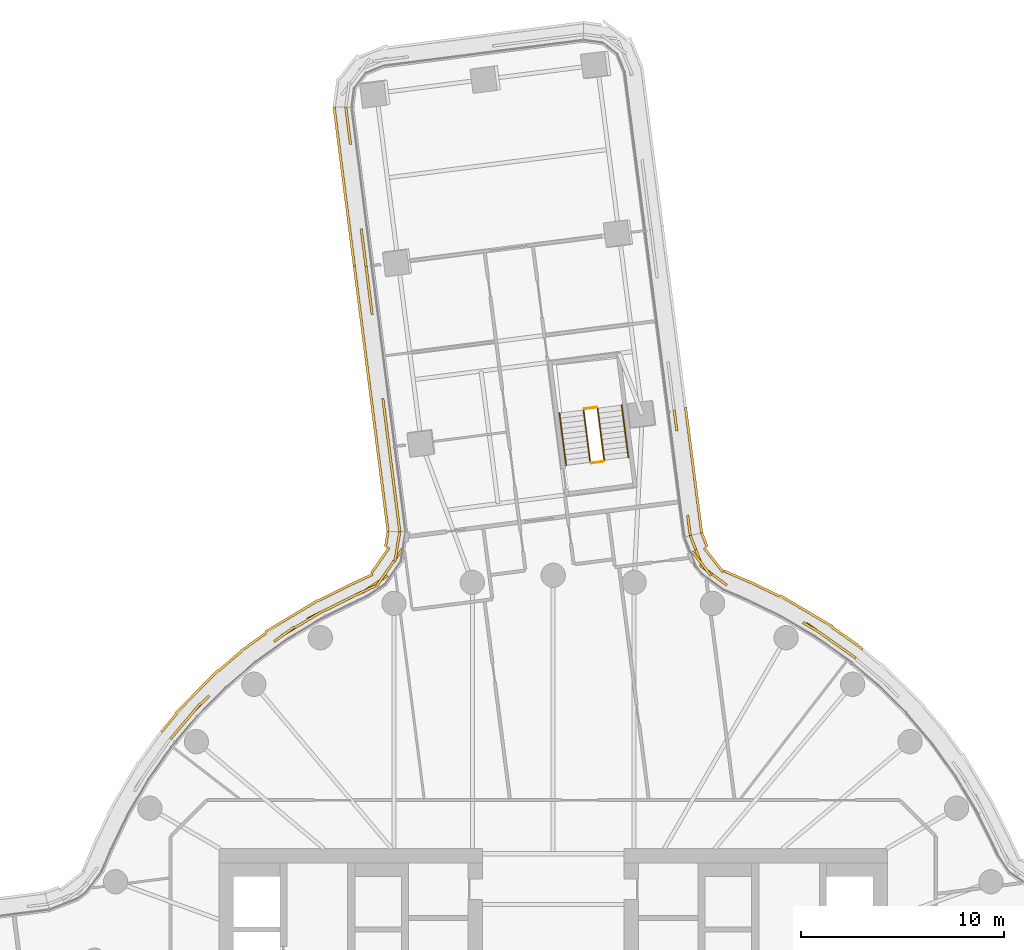
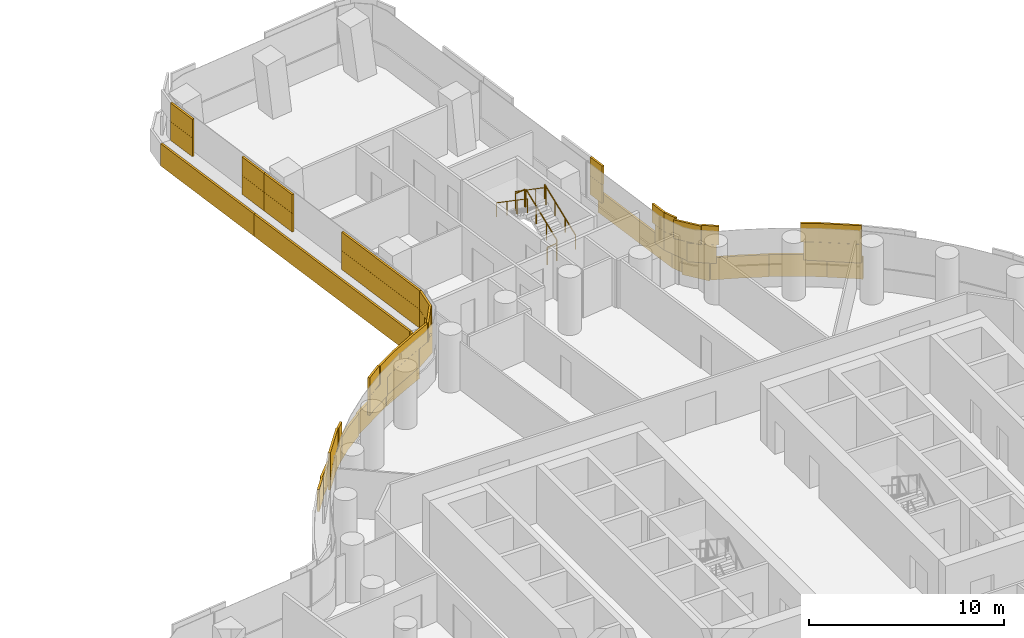
# One storey, part 30 of 31: 6 railings, 5 coverings.
"""IFC4 building model written with IfcOpenShell, lengths in metres."""

from ifc_helpers import new_model, si_unit, direction, frame, origin, origin_2d, place, context, subcontext, project, spatial, rectangle, circle, extrude, material, layer, layer_set, type_object, element, save


model = new_model("IFC4")

# Units and contexts
model_context = context("Model", 3, precision=1e-05, world=origin(), true_north=direction((0.0, 1.0)))
body_context = subcontext(model_context, "Body", "Model", "MODEL_VIEW")
ifc_project = project(units=[si_unit("LENGTHUNIT", "METRE"), si_unit("AREAUNIT", "SQUARE_METRE"), si_unit("VOLUMEUNIT", "CUBIC_METRE"), si_unit("PLANEANGLEUNIT", "RADIAN"), si_unit("MASSUNIT", "GRAM", prefix="KILO")], contexts=[model_context])

# Site, building, storey
site_placement = place(None, origin())
site = spatial("IfcSite", under=ifc_project, at=site_placement, CompositionType="ELEMENT")
building_placement = place(site_placement, origin())
building = spatial("IfcBuilding", under=site, at=building_placement, Name="Tamarind Cross Interchange Tower", CompositionType="ELEMENT")
storey_placement = place(building_placement, frame((0.0, 0.0, 60.25)))
storey = spatial("IfcBuildingStorey", under=building, at=storey_placement, Name="L13", CompositionType="ELEMENT", Elevation=60.25)

# Railings
ifc_material_1 = material(Name="Stair guard")
railing_type_1 = type_object("IfcRailingType", Name="Stair guard", PredefinedType="GUARDRAIL", material=ifc_material_1)
railing_1_placement = place(storey_placement, frame((2.520751953125, 28.67529296875, 0.17041015625)))
element("IfcRailing", 1, at=railing_1_placement, inside=storey, type_object=railing_type_1, Name="L13 ST4 stair guard 1", PredefinedType="GUARDRAIL", context=body_context, shape_type="SweptSolid", body=[
    extrude(circle(Radius=0.02392578125, at=origin_2d()), frame((0.0, 0.0, 1.076171875), z_axis=(-0.106483526738, 0.829487826646, 0.548280223955), x_axis=(-0.991860696927, -0.127327757742, 0.0)), (0.0, 0.0, 1.0), 3.10888671875),
    extrude(circle(Radius=0.02099609375, at=origin_2d()), origin(), (0.0, 0.0, 1.0), 1.052001953125),
    extrude(circle(Radius=0.02099609375, at=origin_2d()), frame((-0.1103515625, 0.859619140625, 0.568115234375)), (0.0, 0.0, 1.0), 1.052001953125),
    extrude(circle(Radius=0.02099609375, at=origin_2d()), frame((-0.220703125, 1.71923828125, 1.136474609375)), (0.0, 0.0, 1.0), 1.052001953125),
    extrude(circle(Radius=0.02099609375, at=origin_2d()), frame((-0.3310546875, 2.578857421875, 1.70458984375)), (0.0, 0.0, 1.0), 1.052001953125),
])
railing_2_placement = place(storey_placement, frame((2.1337890625, 31.29736328125, 1.875)))
element("IfcRailing", 2, at=railing_2_placement, inside=storey, type_object=railing_type_1, Name="L13 ST4 stair guard 2", PredefinedType="GUARDRAIL", context=body_context, shape_type="SweptSolid", body=[
    extrude(circle(Radius=0.02392578125, at=origin_2d()), frame((0.0, 0.0, 1.076171875), z_axis=(-0.991852680549, -0.127390188351, 0.0), x_axis=(0.127390188351, -0.991852680549, 0.0)), (0.0, 0.0, 1.0), 0.599853515625),
    extrude(circle(Radius=0.02099609375, at=origin_2d()), origin(), (0.0, 0.0, 1.0), 1.052001953125),
    extrude(circle(Radius=0.02099609375, at=origin_2d()), frame((-0.594970703125, -0.076416015625, 0.0)), (0.0, 0.0, 1.0), 1.052001953125),
])
railing_3_placement = place(storey_placement, frame((1.495361328125, 31.1650390625, 2.04541015625)))
element("IfcRailing", 3, at=railing_3_placement, inside=storey, type_object=railing_type_1, Name="L13 ST4 stair guard 3", PredefinedType="GUARDRAIL", context=body_context, shape_type="SweptSolid", body=[
    extrude(circle(Radius=0.02392578125, at=origin_2d()), frame((0.0, 0.0, 1.076171875), z_axis=(0.106483526738, -0.829487826646, 0.548280223955), x_axis=(0.991860696927, 0.127327757742, 0.0)), (0.0, 0.0, 1.0), 3.10888671875),
    extrude(circle(Radius=0.02099609375, at=origin_2d()), origin(), (0.0, 0.0, 1.0), 1.052001953125),
    extrude(circle(Radius=0.02099609375, at=origin_2d()), frame((0.1103515625, -0.859619140625, 0.568115234375)), (0.0, 0.0, 1.0), 1.052001953125),
    extrude(circle(Radius=0.02099609375, at=origin_2d()), frame((0.220703125, -1.71923828125, 1.136474609375)), (0.0, 0.0, 1.0), 1.052001953125),
    extrude(circle(Radius=0.02099609375, at=origin_2d()), frame((0.3310546875, -2.578857421875, 1.70458984375)), (0.0, 0.0, 1.0), 1.052001953125),
])
railing_4_placement = place(storey_placement, frame((2.4775390625, 28.619140625, 0.0)))
element("IfcRailing", 4, at=railing_4_placement, inside=storey, type_object=railing_type_1, Name="L13 ST4 stair guard 4", PredefinedType="GUARDRAIL", context=body_context, shape_type="SweptSolid", body=[
    extrude(circle(Radius=0.02392578125, at=origin_2d()), frame((0.0, 0.0, 1.076171875), z_axis=(-0.991910587216, -0.126938516494, 0.0), x_axis=(0.126938516494, -0.991910587216, 0.0)), (0.0, 0.0, 1.0), 0.60009765625),
    extrude(circle(Radius=0.02099609375, at=origin_2d()), origin(), (0.0, 0.0, 1.0), 1.052001953125),
    extrude(circle(Radius=0.02099609375, at=origin_2d()), frame((-0.59521484375, -0.076171875, 0.0)), (0.0, 0.0, 1.0), 1.052001953125),
])
ifc_material_2 = material(Name="Stair handrail")
railing_type_2 = type_object("IfcRailingType", Name="Stair handrail", PredefinedType="HANDRAIL", material=ifc_material_2)
railing_5_placement = place(storey_placement, frame((3.7109375, 28.827880859375, 0.17041015625)))
element("IfcRailing", 5, at=railing_5_placement, inside=storey, type_object=railing_type_2, Name="L13 ST4 stair handrail 1", PredefinedType="HANDRAIL", context=body_context, shape_type="SweptSolid", body=[
    extrude(circle(Radius=0.02392578125, at=origin_2d()), frame((0.0, 0.0, 0.8759765625), z_axis=(-0.106405888495, 0.829494760272, 0.548284806989), x_axis=(-0.991872551469, -0.127235378892, 0.0)), (0.0, 0.0, 1.0), 3.10888671875),
    extrude(circle(Radius=0.02099609375, at=origin_2d()), origin(), (0.0, 0.0, 1.0), 0.851806640625),
    extrude(circle(Radius=0.02099609375, at=origin_2d()), frame((-0.1103515625, 0.859619140625, 0.568115234375)), (0.0, 0.0, 1.0), 0.851806640625),
    extrude(circle(Radius=0.02099609375, at=origin_2d()), frame((-0.220458984375, 1.71923828125, 1.136474609375)), (0.0, 0.0, 1.0), 0.851806640625),
    extrude(circle(Radius=0.02099609375, at=origin_2d()), frame((-0.330810546875, 2.578857421875, 1.70458984375)), (0.0, 0.0, 1.0), 0.851806640625),
])
railing_6_placement = place(storey_placement, frame((0.30517578125, 31.01220703125, 2.04541015625)))
element("IfcRailing", 6, at=railing_6_placement, inside=storey, type_object=railing_type_2, Name="L13 ST4 stair handrail 2", PredefinedType="HANDRAIL", context=body_context, shape_type="SweptSolid", body=[
    extrude(circle(Radius=0.02392578125, at=origin_2d()), frame((0.0, 0.0, 0.8759765625), z_axis=(0.106483526738, -0.829487826646, 0.548280223955), x_axis=(0.991860696927, 0.127327757742, 0.0)), (0.0, 0.0, 1.0), 3.10888671875),
    extrude(circle(Radius=0.02099609375, at=origin_2d()), origin(), (0.0, 0.0, 1.0), 0.851806640625),
    extrude(circle(Radius=0.02099609375, at=origin_2d()), frame((0.1103515625, -0.859619140625, 0.568115234375)), (0.0, 0.0, 1.0), 0.851806640625),
    extrude(circle(Radius=0.02099609375, at=origin_2d()), frame((0.220703125, -1.71923828125, 1.136474609375)), (0.0, 0.0, 1.0), 0.851806640625),
    extrude(circle(Radius=0.02099609375, at=origin_2d()), frame((0.3310546875, -2.578857421875, 1.70458984375)), (0.0, 0.0, 1.0), 0.851806640625),
])

# Coverings
ifc_material_3 = material(Name="Terracotta", Category="masonry")
ifc_layer = layer(ifc_material_3, 0.1201171875)
ifc_layer_set = layer_set([ifc_layer], Name="Terracotta")
covering_type = type_object("IfcCoveringType", Name="Terracotta baguette screen unit", PredefinedType="MOLDING", material=ifc_layer_set)
covering_1_placement = place(storey_placement, origin())
element("IfcCovering", 7, at=covering_1_placement, inside=storey, type_object=covering_type, Name="SCR-L13-10-01", PredefinedType="MOLDING", context=body_context, shape_type="SweptSolid", body=[
    extrude(rectangle(XDim=1.493896484375, YDim=0.1201171875, at=origin_2d()), frame((14.331787109375, 19.33984375, 1.404052734375), z_axis=(0.0, 0.0, 1.0), x_axis=(-0.816341886298, 0.577568978284, 0.0)), (0.0, 0.0, 1.0), 1.1669921875),
    extrude(rectangle(XDim=1.52001953125, YDim=0.1201171875, at=origin_2d()), frame((13.11376953125, 20.201416015625, 1.404052734375), z_axis=(0.0, 0.0, 1.0), x_axis=(-0.816341886298, 0.577568978284, 0.0)), (0.0, 0.0, 1.0), 1.1669921875),
    extrude(rectangle(XDim=1.52001953125, YDim=0.1201171875, at=origin_2d()), frame((7.8515625, 23.047607421875, 1.404052734375), z_axis=(0.0, 0.0, 1.0), x_axis=(-0.802208904027, 0.597043444231, 0.0)), (0.0, 0.0, 1.0), 1.1669921875),
    extrude(rectangle(XDim=1.505615234375, YDim=0.1201171875, at=origin_2d()), frame((7.039306640625, 24.2626953125, 1.404052734375), z_axis=(0.0, 0.0, 1.0), x_axis=(-0.362472967491, 0.931994285303, 0.0)), (0.0, 0.0, 1.0), 1.1669921875),
    extrude(rectangle(XDim=0.743896484375, YDim=0.1201171875, at=origin_2d()), frame((14.637939453125, 19.123291015625, 2.5791015625), z_axis=(0.0, 0.0, 1.0), x_axis=(-0.816341886298, 0.577568978284, 0.0)), (0.0, 0.0, 1.0), 1.1669921875),
    extrude(rectangle(XDim=1.52001953125, YDim=0.1201171875, at=origin_2d()), frame((13.72607421875, 19.768310546875, 2.5791015625), z_axis=(0.0, 0.0, 1.0), x_axis=(-0.816341886298, 0.577568978284, 0.0)), (0.0, 0.0, 1.0), 1.1669921875),
    extrude(rectangle(XDim=0.915771484375, YDim=0.1201171875, at=origin_2d()), frame((12.72509765625, 20.433837890625, 2.5791015625), z_axis=(0.0, 0.0, 1.0), x_axis=(-0.861248933065, 0.508183308752, 0.0)), (0.0, 0.0, 1.0), 1.1669921875),
    extrude(rectangle(XDim=0.904296875, YDim=0.1201171875, at=origin_2d()), frame((8.210205078125, 22.78076171875, 2.5791015625), z_axis=(0.0, 0.0, 1.0), x_axis=(-0.802208904027, 0.597043444231, 0.0)), (0.0, 0.0, 1.0), 1.1669921875),
    extrude(rectangle(XDim=1.52001953125, YDim=0.1201171875, at=origin_2d()), frame((7.32861328125, 23.576171875, 2.5791015625), z_axis=(0.0, 0.0, 1.0), x_axis=(-0.615646418877, 0.788022516762, 0.0)), (0.0, 0.0, 1.0), 1.1669921875),
    extrude(rectangle(XDim=0.755615234375, YDim=0.1201171875, at=origin_2d()), frame((6.9033203125, 24.6123046875, 2.5791015625), z_axis=(0.0, 0.0, 1.0), x_axis=(-0.362472967491, 0.931994285303, 0.0)), (0.0, 0.0, 1.0), 1.1669921875),
    extrude(rectangle(XDim=0.375244140625, YDim=0.1201171875, at=origin_2d()), frame((15.1357421875, 19.46435546875, 0.00390625), z_axis=(0.0, 0.0, 1.0), x_axis=(-0.765858396687, 0.643009266048, 0.0)), (0.0, 0.0, 1.0), 1.39208984375),
    extrude(rectangle(XDim=1.52001953125, YDim=0.1201171875, at=origin_2d()), frame((14.38330078125, 20.00634765625, 0.00390625), z_axis=(0.0, 0.0, 1.0), x_axis=(-0.816341886298, 0.577568978284, 0.0)), (0.0, 0.0, 1.0), 1.39208984375),
    extrude(rectangle(XDim=1.52001953125, YDim=0.1201171875, at=origin_2d()), frame((13.1455078125, 20.852294921875, 0.00390625), z_axis=(0.0, 0.0, 1.0), x_axis=(-0.861248933065, 0.508183308752, 0.0)), (0.0, 0.0, 1.0), 1.39208984375),
    extrude(rectangle(XDim=1.52001953125, YDim=0.1201171875, at=origin_2d()), frame((11.853759765625, 21.61474609375, 0.00390625), z_axis=(0.0, 0.0, 1.0), x_axis=(-0.861248933065, 0.508183308752, 0.0)), (0.0, 0.0, 1.0), 1.39208984375),
    extrude(rectangle(XDim=1.52001953125, YDim=0.1201171875, at=origin_2d()), frame((10.5126953125, 22.285400390625, 0.00390625), z_axis=(0.0, 0.0, 1.0), x_axis=(-0.900272776334, 0.435326231914, 0.0)), (0.0, 0.0, 1.0), 1.39208984375),
    extrude(rectangle(XDim=1.52001953125, YDim=0.1201171875, at=origin_2d()), frame((9.14794921875, 22.90673828125, 0.00390625), z_axis=(0.0, 0.0, 1.0), x_axis=(-0.920061117833, 0.391774858116, 0.0)), (0.0, 0.0, 1.0), 1.39208984375),
    extrude(rectangle(XDim=1.52001953125, YDim=0.1201171875, at=origin_2d()), frame((7.922607421875, 23.748291015625, 0.00390625), z_axis=(0.0, 0.0, 1.0), x_axis=(-0.615646418877, 0.788022516762, 0.0)), (0.0, 0.0, 1.0), 1.39208984375),
    extrude(rectangle(XDim=0.746337890625, YDim=0.1201171875, at=origin_2d()), frame((7.4638671875, 24.75439453125, 0.00390625), z_axis=(0.0, 0.0, 1.0), x_axis=(-0.362472967491, 0.931994285303, 0.0)), (0.0, 0.0, 1.0), 1.39208984375),
])
covering_2_placement = place(storey_placement, origin())
element("IfcCovering", 8, at=covering_2_placement, inside=storey, type_object=covering_type, Name="SCR-L13-11-00", PredefinedType="MOLDING", context=body_context, shape_type="SweptSolid", body=[
    extrude(rectangle(XDim=0.760009765625, YDim=0.1201171875, at=origin_2d()), frame((6.720458984375, 25.33154296875, 1.404052734375), z_axis=(0.0, 0.0, 1.0), x_axis=(-0.127300045824, 0.991864253985, 0.0)), (0.0, 0.0, 1.0), 1.1669921875),
    extrude(rectangle(XDim=0.997314453125, YDim=0.1201171875, at=origin_2d()), frame((6.037109375, 30.656494140625, 1.404052734375), z_axis=(0.0, 0.0, 1.0), x_axis=(-0.127300045824, 0.991864253985, 0.0)), (0.0, 0.0, 1.0), 1.1669921875),
    extrude(rectangle(XDim=1.0185546875, YDim=0.1201171875, at=origin_2d()), frame((6.703369140625, 25.46484375, 2.5791015625), z_axis=(0.0, 0.0, 1.0), x_axis=(-0.127300045824, 0.991864253985, 0.0)), (0.0, 0.0, 1.0), 1.1669921875),
    extrude(rectangle(XDim=0.79150390625, YDim=0.1201171875, at=origin_2d()), frame((6.05419921875, 30.5234375, 2.5791015625), z_axis=(0.0, 0.0, 1.0), x_axis=(-0.127300045824, 0.991864253985, 0.0)), (0.0, 0.0, 1.0), 1.1669921875),
    extrude(rectangle(XDim=0.247314453125, YDim=0.1201171875, at=origin_2d()), frame((5.989501953125, 31.028564453125, 2.5791015625), z_axis=(0.0, 0.0, 1.0), x_axis=(-0.127300045824, 0.991864253985, 0.0)), (0.0, 0.0, 1.0), 1.1669921875),
    extrude(rectangle(XDim=0.760009765625, YDim=0.1201171875, at=origin_2d()), frame((7.2802734375, 25.479248046875, 0.00390625), z_axis=(0.0, 0.0, 1.0), x_axis=(-0.127300045824, 0.991864253985, 0.0)), (0.0, 0.0, 1.0), 1.39208984375),
    extrude(rectangle(XDim=1.52001953125, YDim=0.1201171875, at=origin_2d()), frame((7.1376953125, 26.590087890625, 0.00390625), z_axis=(0.0, 0.0, 1.0), x_axis=(-0.127300045824, 0.991864253985, 0.0)), (0.0, 0.0, 1.0), 1.39208984375),
    extrude(rectangle(XDim=1.52001953125, YDim=0.1201171875, at=origin_2d()), frame((6.94677734375, 28.077880859375, 0.00390625), z_axis=(0.0, 0.0, 1.0), x_axis=(-0.127300045824, 0.991864253985, 0.0)), (0.0, 0.0, 1.0), 1.39208984375),
    extrude(rectangle(XDim=1.52001953125, YDim=0.1201171875, at=origin_2d()), frame((6.755859375, 29.565673828125, 0.00390625), z_axis=(0.0, 0.0, 1.0), x_axis=(-0.127300045824, 0.991864253985, 0.0)), (0.0, 0.0, 1.0), 1.39208984375),
    extrude(rectangle(XDim=0.998779296875, YDim=0.1201171875, at=origin_2d()), frame((6.59814453125, 30.794921875, 0.00390625), z_axis=(0.0, 0.0, 1.0), x_axis=(-0.127300045824, 0.991864253985, 0.0)), (0.0, 0.0, 1.0), 1.39208984375),
])
covering_3_placement = place(storey_placement, origin())
element("IfcCovering", 9, at=covering_3_placement, inside=storey, type_object=covering_type, Name="SCR-L13-13-00", PredefinedType="MOLDING", context=body_context, shape_type="SweptSolid", body=[
    extrude(rectangle(XDim=0.760009765625, YDim=0.1201171875, at=origin_2d()), frame((-10.195556640625, 45.7412109375, 1.404052734375), z_axis=(0.0, 0.0, 1.0), x_axis=(0.126160958881, -0.992009784455, 0.0)), (0.0, 0.0, 1.0), 1.1669921875),
    extrude(rectangle(XDim=1.1142578125, YDim=0.1201171875, at=origin_2d()), frame((-10.07861328125, 44.821533203125, 1.404052734375), z_axis=(0.0, 0.0, 1.0), x_axis=(0.126160958881, -0.992009784455, 0.0)), (0.0, 0.0, 1.0), 1.1669921875),
    extrude(rectangle(XDim=0.705810546875, YDim=0.1201171875, at=origin_2d()), frame((-9.435302734375, 39.76220703125, 1.404052734375), z_axis=(0.0, 0.0, 1.0), x_axis=(0.126160958881, -0.992009784455, 0.0)), (0.0, 0.0, 1.0), 1.1669921875),
    extrude(rectangle(XDim=1.16845703125, YDim=0.1201171875, at=origin_2d()), frame((-9.318359375, 38.842529296875, 1.404052734375), z_axis=(0.0, 0.0, 1.0), x_axis=(0.126160958881, -0.992009784455, 0.0)), (0.0, 0.0, 1.0), 1.1669921875),
    extrude(rectangle(XDim=1.510009765625, YDim=0.1201171875, at=origin_2d()), frame((-10.148193359375, 45.369140625, 2.5791015625), z_axis=(0.0, 0.0, 1.0), x_axis=(0.126160958881, -0.992009784455, 0.0)), (0.0, 0.0, 1.0), 1.1669921875),
    extrude(rectangle(XDim=0.3642578125, YDim=0.1201171875, at=origin_2d()), frame((-10.03125, 44.449462890625, 2.5791015625), z_axis=(0.0, 0.0, 1.0), x_axis=(0.126160958881, -0.992009784455, 0.0)), (0.0, 0.0, 1.0), 1.1669921875),
    extrude(rectangle(XDim=1.455810546875, YDim=0.1201171875, at=origin_2d()), frame((-9.387939453125, 39.39013671875, 2.5791015625), z_axis=(0.0, 0.0, 1.0), x_axis=(0.126160958881, -0.992009784455, 0.0)), (0.0, 0.0, 1.0), 1.1669921875),
    extrude(rectangle(XDim=0.41845703125, YDim=0.1201171875, at=origin_2d()), frame((-9.27099609375, 38.470458984375, 2.5791015625), z_axis=(0.0, 0.0, 1.0), x_axis=(0.126160958881, -0.992009784455, 0.0)), (0.0, 0.0, 1.0), 1.1669921875),
    extrude(rectangle(XDim=0.760009765625, YDim=0.1201171875, at=origin_2d()), frame((-10.77392578125, 45.738525390625, 0.00390625), z_axis=(0.0, 0.0, 1.0), x_axis=(0.126160958881, -0.992009784455, 0.0)), (0.0, 0.0, 1.0), 1.39208984375),
    extrude(rectangle(XDim=1.52001953125, YDim=0.1201171875, at=origin_2d()), frame((-10.632568359375, 44.62744140625, 0.00390625), z_axis=(0.0, 0.0, 1.0), x_axis=(0.126160958881, -0.992009784455, 0.0)), (0.0, 0.0, 1.0), 1.39208984375),
    extrude(rectangle(XDim=1.52001953125, YDim=0.1201171875, at=origin_2d()), frame((-10.443359375, 43.139404296875, 0.00390625), z_axis=(0.0, 0.0, 1.0), x_axis=(0.126160958881, -0.992009784455, 0.0)), (0.0, 0.0, 1.0), 1.39208984375),
    extrude(rectangle(XDim=1.52001953125, YDim=0.1201171875, at=origin_2d()), frame((-10.254150390625, 41.6513671875, 0.00390625), z_axis=(0.0, 0.0, 1.0), x_axis=(0.126160958881, -0.992009784455, 0.0)), (0.0, 0.0, 1.0), 1.39208984375),
    extrude(rectangle(XDim=1.52001953125, YDim=0.1201171875, at=origin_2d()), frame((-10.06494140625, 40.163330078125, 0.00390625), z_axis=(0.0, 0.0, 1.0), x_axis=(0.126160958881, -0.992009784455, 0.0)), (0.0, 0.0, 1.0), 1.39208984375),
    extrude(rectangle(XDim=1.16552734375, YDim=0.1201171875, at=origin_2d()), frame((-9.89794921875, 38.85107421875, 0.00390625), z_axis=(0.0, 0.0, 1.0), x_axis=(0.126160958881, -0.992009784455, 0.0)), (0.0, 0.0, 1.0), 1.39208984375),
])
covering_4_placement = place(storey_placement, origin())
element("IfcCovering", 10, at=covering_4_placement, inside=storey, type_object=covering_type, Name="SCR-L13-13-01", PredefinedType="MOLDING", context=body_context, shape_type="SweptSolid", body=[
    extrude(rectangle(XDim=0.3515625, YDim=0.1201171875, at=origin_2d()), frame((-9.2236328125, 38.098388671875, 1.404052734375), z_axis=(0.0, 0.0, 1.0), x_axis=(0.126160958881, -0.992009784455, 0.0)), (0.0, 0.0, 1.0), 1.1669921875),
    extrude(rectangle(XDim=1.52001953125, YDim=0.1201171875, at=origin_2d()), frame((-9.107421875, 37.18505859375, 1.404052734375), z_axis=(0.0, 0.0, 1.0), x_axis=(0.126160958881, -0.992009784455, 0.0)), (0.0, 0.0, 1.0), 1.1669921875),
    extrude(rectangle(XDim=0.568359375, YDim=0.1201171875, at=origin_2d()), frame((-8.9775390625, 36.164306640625, 1.404052734375), z_axis=(0.0, 0.0, 1.0), x_axis=(0.126160958881, -0.992009784455, 0.0)), (0.0, 0.0, 1.0), 1.1669921875),
    extrude(rectangle(XDim=1.251708984375, YDim=0.1201171875, at=origin_2d()), frame((-8.334228515625, 31.10498046875, 1.404052734375), z_axis=(0.0, 0.0, 1.0), x_axis=(0.126160958881, -0.992009784455, 0.0)), (0.0, 0.0, 1.0), 1.1669921875),
    extrude(rectangle(XDim=1.52001953125, YDim=0.1201171875, at=origin_2d()), frame((-8.161376953125, 29.7451171875, 1.404052734375), z_axis=(0.0, 0.0, 1.0), x_axis=(0.126160958881, -0.992009784455, 0.0)), (0.0, 0.0, 1.0), 1.1669921875),
    extrude(rectangle(XDim=1.52001953125, YDim=0.1201171875, at=origin_2d()), frame((-7.971923828125, 28.257080078125, 1.404052734375), z_axis=(0.0, 0.0, 1.0), x_axis=(0.126160958881, -0.992009784455, 0.0)), (0.0, 0.0, 1.0), 1.1669921875),
    extrude(rectangle(XDim=1.52001953125, YDim=0.1201171875, at=origin_2d()), frame((-7.78271484375, 26.76904296875, 1.404052734375), z_axis=(0.0, 0.0, 1.0), x_axis=(0.126160958881, -0.992009784455, 0.0)), (0.0, 0.0, 1.0), 1.1669921875),
    extrude(rectangle(XDim=0.886474609375, YDim=0.1201171875, at=origin_2d()), frame((-7.6328125, 25.59033203125, 1.404052734375), z_axis=(0.0, 0.0, 1.0), x_axis=(0.126160958881, -0.992009784455, 0.0)), (0.0, 0.0, 1.0), 1.1669921875),
    extrude(rectangle(XDim=1.1015625, YDim=0.1201171875, at=origin_2d()), frame((-9.17626953125, 37.7265625, 2.5791015625), z_axis=(0.0, 0.0, 1.0), x_axis=(0.126160958881, -0.992009784455, 0.0)), (0.0, 0.0, 1.0), 1.1669921875),
    extrude(rectangle(XDim=1.318359375, YDim=0.1201171875, at=origin_2d()), frame((-9.02490234375, 36.5361328125, 2.5791015625), z_axis=(0.0, 0.0, 1.0), x_axis=(0.126160958881, -0.992009784455, 0.0)), (0.0, 0.0, 1.0), 1.1669921875),
    extrude(rectangle(XDim=0.501708984375, YDim=0.1201171875, at=origin_2d()), frame((-8.381591796875, 31.47705078125, 2.5791015625), z_axis=(0.0, 0.0, 1.0), x_axis=(0.126160958881, -0.992009784455, 0.0)), (0.0, 0.0, 1.0), 1.1669921875),
    extrude(rectangle(XDim=1.52001953125, YDim=0.1201171875, at=origin_2d()), frame((-8.255859375, 30.489013671875, 2.5791015625), z_axis=(0.0, 0.0, 1.0), x_axis=(0.126160958881, -0.992009784455, 0.0)), (0.0, 0.0, 1.0), 1.1669921875),
    extrude(rectangle(XDim=1.52001953125, YDim=0.1201171875, at=origin_2d()), frame((-8.066650390625, 29.0009765625, 2.5791015625), z_axis=(0.0, 0.0, 1.0), x_axis=(0.126160958881, -0.992009784455, 0.0)), (0.0, 0.0, 1.0), 1.1669921875),
    extrude(rectangle(XDim=1.52001953125, YDim=0.1201171875, at=origin_2d()), frame((-7.87744140625, 27.512939453125, 2.5791015625), z_axis=(0.0, 0.0, 1.0), x_axis=(0.126160958881, -0.992009784455, 0.0)), (0.0, 0.0, 1.0), 1.1669921875),
    extrude(rectangle(XDim=1.52001953125, YDim=0.1201171875, at=origin_2d()), frame((-7.688232421875, 26.02490234375, 2.5791015625), z_axis=(0.0, 0.0, 1.0), x_axis=(0.126160958881, -0.992009784455, 0.0)), (0.0, 0.0, 1.0), 1.1669921875),
    extrude(rectangle(XDim=0.136474609375, YDim=0.1201171875, at=origin_2d()), frame((-7.585693359375, 25.21826171875, 2.5791015625), z_axis=(0.0, 0.0, 1.0), x_axis=(0.126160958881, -0.992009784455, 0.0)), (0.0, 0.0, 1.0), 1.1669921875),
    extrude(rectangle(XDim=0.3544921875, YDim=0.1201171875, at=origin_2d()), frame((-9.802001953125, 38.09716796875, 0.00390625), z_axis=(0.0, 0.0, 1.0), x_axis=(0.126160958881, -0.992009784455, 0.0)), (0.0, 0.0, 1.0), 1.39208984375),
    extrude(rectangle(XDim=1.52001953125, YDim=0.1201171875, at=origin_2d()), frame((-9.686279296875, 37.187255859375, 0.00390625), z_axis=(0.0, 0.0, 1.0), x_axis=(0.126160958881, -0.992009784455, 0.0)), (0.0, 0.0, 1.0), 1.39208984375),
    extrude(rectangle(XDim=1.52001953125, YDim=0.1201171875, at=origin_2d()), frame((-9.4970703125, 35.69921875, 0.00390625), z_axis=(0.0, 0.0, 1.0), x_axis=(0.126160958881, -0.992009784455, 0.0)), (0.0, 0.0, 1.0), 1.39208984375),
    extrude(rectangle(XDim=1.52001953125, YDim=0.1201171875, at=origin_2d()), frame((-9.307861328125, 34.21142578125, 0.00390625), z_axis=(0.0, 0.0, 1.0), x_axis=(0.126160958881, -0.992009784455, 0.0)), (0.0, 0.0, 1.0), 1.39208984375),
    extrude(rectangle(XDim=1.52001953125, YDim=0.1201171875, at=origin_2d()), frame((-9.11865234375, 32.723388671875, 0.00390625), z_axis=(0.0, 0.0, 1.0), x_axis=(0.126160958881, -0.992009784455, 0.0)), (0.0, 0.0, 1.0), 1.39208984375),
    extrude(rectangle(XDim=1.52001953125, YDim=0.1201171875, at=origin_2d()), frame((-8.929443359375, 31.2353515625, 0.00390625), z_axis=(0.0, 0.0, 1.0), x_axis=(0.126160958881, -0.992009784455, 0.0)), (0.0, 0.0, 1.0), 1.39208984375),
    extrude(rectangle(XDim=1.52001953125, YDim=0.1201171875, at=origin_2d()), frame((-8.740234375, 29.747314453125, 0.00390625), z_axis=(0.0, 0.0, 1.0), x_axis=(0.126160958881, -0.992009784455, 0.0)), (0.0, 0.0, 1.0), 1.39208984375),
    extrude(rectangle(XDim=1.52001953125, YDim=0.1201171875, at=origin_2d()), frame((-8.551025390625, 28.25927734375, 0.00390625), z_axis=(0.0, 0.0, 1.0), x_axis=(0.126160958881, -0.992009784455, 0.0)), (0.0, 0.0, 1.0), 1.39208984375),
    extrude(rectangle(XDim=1.52001953125, YDim=0.1201171875, at=origin_2d()), frame((-8.36181640625, 26.771240234375, 0.00390625), z_axis=(0.0, 0.0, 1.0), x_axis=(0.126160958881, -0.992009784455, 0.0)), (0.0, 0.0, 1.0), 1.39208984375),
    extrude(rectangle(XDim=0.878662109375, YDim=0.1201171875, at=origin_2d()), frame((-8.212890625, 25.601318359375, 0.00390625), z_axis=(0.0, 0.0, 1.0), x_axis=(0.126160958881, -0.992009784455, 0.0)), (0.0, 0.0, 1.0), 1.39208984375),
])
covering_5_placement = place(storey_placement, origin())
element("IfcCovering", 11, at=covering_5_placement, inside=storey, type_object=covering_type, Name="SCR-L13-14-00", PredefinedType="MOLDING", context=body_context, shape_type="SweptSolid", body=[
    extrude(rectangle(XDim=0.760009765625, YDim=0.1201171875, at=origin_2d()), frame((-7.6376953125, 24.785400390625, 1.404052734375), z_axis=(0.0, 0.0, 1.0), x_axis=(-0.160195664056, -0.987085279607, 0.0)), (0.0, 0.0, 1.0), 1.1669921875),
    extrude(rectangle(XDim=1.52001953125, YDim=0.1201171875, at=origin_2d()), frame((-7.869140625, 23.69580078125, 1.404052734375), z_axis=(0.0, 0.0, 1.0), x_axis=(-0.571891128916, -0.820329529316, 0.0)), (0.0, 0.0, 1.0), 1.1669921875),
    extrude(rectangle(XDim=1.52001953125, YDim=0.1201171875, at=origin_2d()), frame((-8.82080078125, 22.560546875, 1.404052734375), z_axis=(0.0, 0.0, 1.0), x_axis=(-0.829212317323, -0.558933746342, 0.0)), (0.0, 0.0, 1.0), 1.1669921875),
    extrude(rectangle(XDim=1.52001953125, YDim=0.1201171875, at=origin_2d()), frame((-10.130615234375, 21.83740234375, 1.404052734375), z_axis=(0.0, 0.0, 1.0), x_axis=(-0.896492548518, -0.443058811505, 0.0)), (0.0, 0.0, 1.0), 1.1669921875),
    extrude(rectangle(XDim=1.52001953125, YDim=0.1201171875, at=origin_2d()), frame((-11.475341796875, 21.1728515625, 1.404052734375), z_axis=(0.0, 0.0, 1.0), x_axis=(-0.896492548518, -0.443058811505, 0.0)), (0.0, 0.0, 1.0), 1.1669921875),
    extrude(rectangle(XDim=1.52001953125, YDim=0.1201171875, at=origin_2d()), frame((-12.763916015625, 20.40576171875, 1.404052734375), z_axis=(0.0, 0.0, 1.0), x_axis=(-0.856843065292, -0.515577308909, 0.0)), (0.0, 0.0, 1.0), 1.1669921875),
    extrude(rectangle(XDim=0.478759765625, YDim=0.1201171875, at=origin_2d()), frame((-13.589111328125, 19.870361328125, 1.404052734375), z_axis=(0.0, 0.0, 1.0), x_axis=(-0.811340475102, -0.584573890505, 0.0)), (0.0, 0.0, 1.0), 1.1669921875),
    extrude(rectangle(XDim=1.34130859375, YDim=0.1201171875, at=origin_2d()), frame((-17.4619140625, 16.568359375, 1.404052734375), z_axis=(0.0, 0.0, 1.0), x_axis=(-0.704057148523, -0.710143317658, 0.0)), (0.0, 0.0, 1.0), 1.1669921875),
    extrude(rectangle(XDim=1.52001953125, YDim=0.1201171875, at=origin_2d()), frame((-18.400634765625, 15.51025390625, 1.404052734375), z_axis=(0.0, 0.0, 1.0), x_axis=(-0.643009266048, -0.765858396687, 0.0)), (0.0, 0.0, 1.0), 1.1669921875),
    extrude(rectangle(XDim=1.510009765625, YDim=0.1201171875, at=origin_2d()), frame((-7.69775390625, 24.415283203125, 2.5791015625), z_axis=(0.0, 0.0, 1.0), x_axis=(-0.160195664056, -0.987085279607, 0.0)), (0.0, 0.0, 1.0), 1.1669921875),
    extrude(rectangle(XDim=1.52001953125, YDim=0.1201171875, at=origin_2d()), frame((-8.298095703125, 23.08056640625, 2.5791015625), z_axis=(0.0, 0.0, 1.0), x_axis=(-0.571891128916, -0.820329529316, 0.0)), (0.0, 0.0, 1.0), 1.1669921875),
    extrude(rectangle(XDim=1.52001953125, YDim=0.1201171875, at=origin_2d()), frame((-9.45458984375, 22.162353515625, 2.5791015625), z_axis=(0.0, 0.0, 1.0), x_axis=(-0.906381086716, -0.422461034467, 0.0)), (0.0, 0.0, 1.0), 1.1669921875),
    extrude(rectangle(XDim=1.52001953125, YDim=0.1201171875, at=origin_2d()), frame((-10.802978515625, 21.505126953125, 2.5791015625), z_axis=(0.0, 0.0, 1.0), x_axis=(-0.896492548518, -0.443058811505, 0.0)), (0.0, 0.0, 1.0), 1.1669921875),
    extrude(rectangle(XDim=1.52001953125, YDim=0.1201171875, at=origin_2d()), frame((-12.121337890625, 20.79248046875, 2.5791015625), z_axis=(0.0, 0.0, 1.0), x_axis=(-0.856843065292, -0.515577308909, 0.0)), (0.0, 0.0, 1.0), 1.1669921875),
    extrude(rectangle(XDim=1.228759765625, YDim=0.1201171875, at=origin_2d()), frame((-13.28466796875, 20.089599609375, 2.5791015625), z_axis=(0.0, 0.0, 1.0), x_axis=(-0.811340475102, -0.584573890505, 0.0)), (0.0, 0.0, 1.0), 1.1669921875),
    extrude(rectangle(XDim=0.59130859375, YDim=0.1201171875, at=origin_2d()), frame((-17.19775390625, 16.834716796875, 2.5791015625), z_axis=(0.0, 0.0, 1.0), x_axis=(-0.704057148523, -0.710143317658, 0.0)), (0.0, 0.0, 1.0), 1.1669921875),
    extrude(rectangle(XDim=1.52001953125, YDim=0.1201171875, at=origin_2d()), frame((-17.91845703125, 16.08447265625, 2.5791015625), z_axis=(0.0, 0.0, 1.0), x_axis=(-0.643009266048, -0.765858396687, 0.0)), (0.0, 0.0, 1.0), 1.1669921875),
    extrude(rectangle(XDim=0.776123046875, YDim=0.1201171875, at=origin_2d()), frame((-18.64697265625, 15.216796875, 2.5791015625), z_axis=(0.0, 0.0, 1.0), x_axis=(-0.643009266048, -0.765858396687, 0.0)), (0.0, 0.0, 1.0), 1.1669921875),
    extrude(rectangle(XDim=0.760009765625, YDim=0.1201171875, at=origin_2d()), frame((-8.21826171875, 24.79052734375, 0.00390625), z_axis=(0.0, 0.0, 1.0), x_axis=(-0.160195664056, -0.987085279607, 0.0)), (0.0, 0.0, 1.0), 1.39208984375),
    extrude(rectangle(XDim=1.52001953125, YDim=0.1201171875, at=origin_2d()), frame((-8.537109375, 23.741455078125, 0.00390625), z_axis=(0.0, 0.0, 1.0), x_axis=(-0.571891128916, -0.820329529316, 0.0)), (0.0, 0.0, 1.0), 1.39208984375),
    extrude(rectangle(XDim=1.52001953125, YDim=0.1201171875, at=origin_2d()), frame((-9.605712890625, 22.725341796875, 0.00390625), z_axis=(0.0, 0.0, 1.0), x_axis=(-0.906381086716, -0.422461034467, 0.0)), (0.0, 0.0, 1.0), 1.39208984375),
    extrude(rectangle(XDim=1.52001953125, YDim=0.1201171875, at=origin_2d()), frame((-10.954833984375, 22.0703125, 0.00390625), z_axis=(0.0, 0.0, 1.0), x_axis=(-0.896492548518, -0.443058811505, 0.0)), (0.0, 0.0, 1.0), 1.39208984375),
    extrude(rectangle(XDim=1.52001953125, YDim=0.1201171875, at=origin_2d()), frame((-12.27880859375, 21.36767578125, 0.00390625), z_axis=(0.0, 0.0, 1.0), x_axis=(-0.856843065292, -0.515577308909, 0.0)), (0.0, 0.0, 1.0), 1.39208984375),
    extrude(rectangle(XDim=1.52001953125, YDim=0.1201171875, at=origin_2d()), frame((-13.564208984375, 20.59423828125, 0.00390625), z_axis=(0.0, 0.0, 1.0), x_axis=(-0.856843065292, -0.515577308909, 0.0)), (0.0, 0.0, 1.0), 1.39208984375),
    extrude(rectangle(XDim=1.52001953125, YDim=0.1201171875, at=origin_2d()), frame((-14.78173828125, 19.718505859375, 0.00390625), z_axis=(0.0, 0.0, 1.0), x_axis=(-0.811340475102, -0.584573890505, 0.0)), (0.0, 0.0, 1.0), 1.39208984375),
    extrude(rectangle(XDim=1.52001953125, YDim=0.1201171875, at=origin_2d()), frame((-15.950439453125, 18.780029296875, 0.00390625), z_axis=(0.0, 0.0, 1.0), x_axis=(-0.760295606781, -0.64957723968, 0.0)), (0.0, 0.0, 1.0), 1.39208984375),
    extrude(rectangle(XDim=1.52001953125, YDim=0.1201171875, at=origin_2d()), frame((-17.06787109375, 17.781005859375, 0.00390625), z_axis=(0.0, 0.0, 1.0), x_axis=(-0.704057148523, -0.710143317658, 0.0)), (0.0, 0.0, 1.0), 1.39208984375),
    extrude(rectangle(XDim=1.52001953125, YDim=0.1201171875, at=origin_2d()), frame((-18.1240234375, 16.7158203125, 0.00390625), z_axis=(0.0, 0.0, 1.0), x_axis=(-0.704057148523, -0.710143317658, 0.0)), (0.0, 0.0, 1.0), 1.39208984375),
    extrude(rectangle(XDim=1.144775390625, YDim=0.1201171875, at=origin_2d()), frame((-18.975830078125, 15.7177734375, 0.00390625), z_axis=(0.0, 0.0, 1.0), x_axis=(-0.643009266048, -0.765858396687, 0.0)), (0.0, 0.0, 1.0), 1.39208984375),
])

save(model, "model.ifc")
